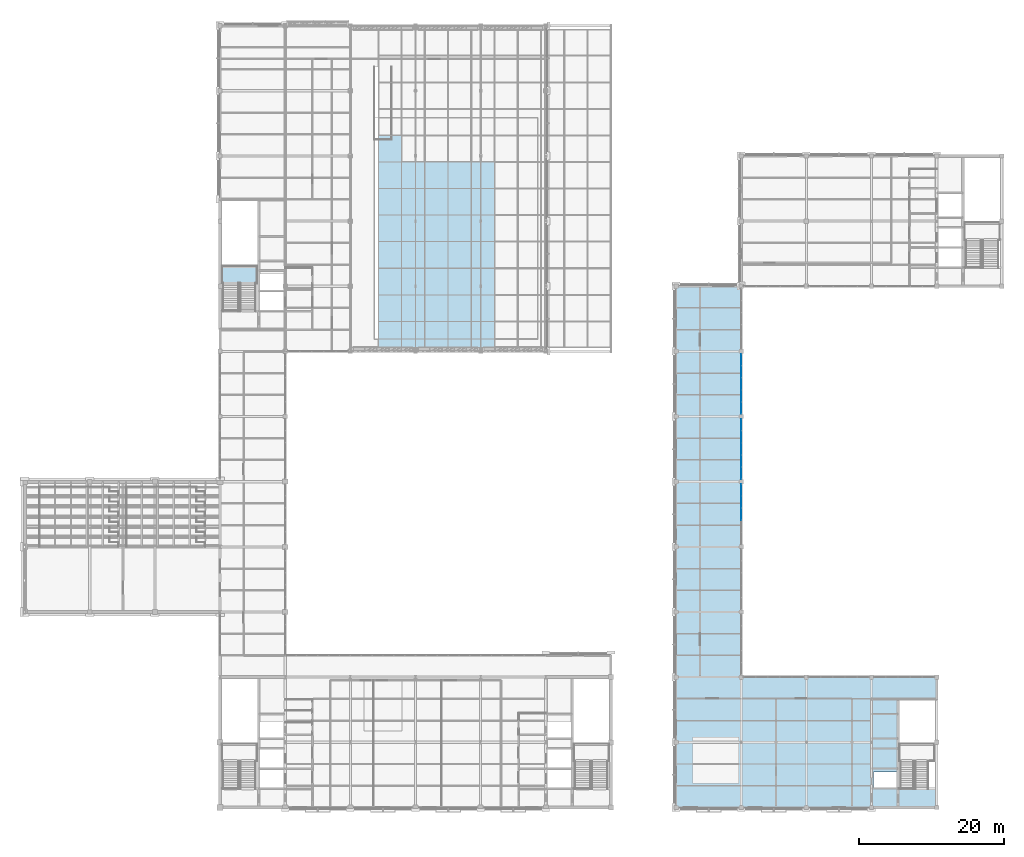
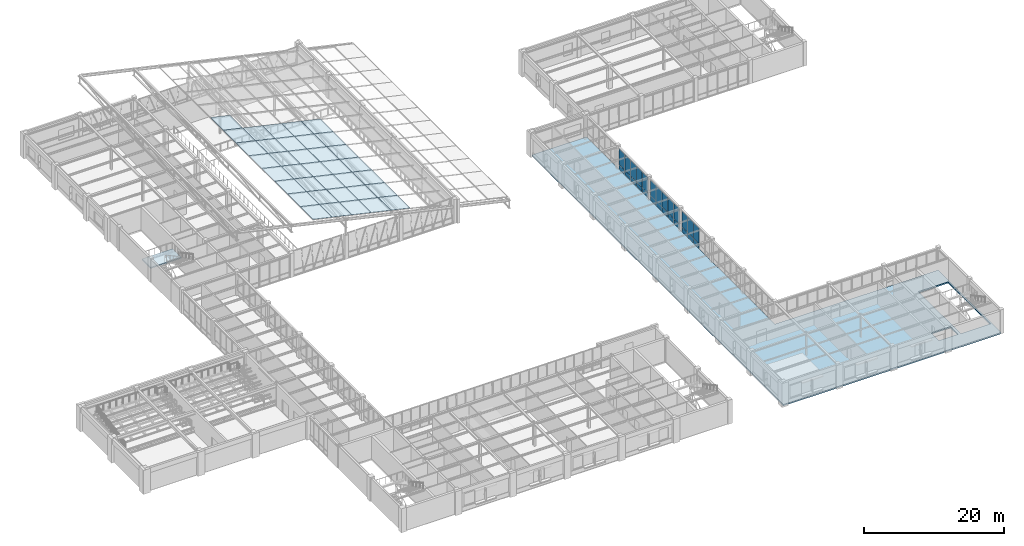
# One storey, part 105 of 130: 62 plates, 2 slabs, 1 opening, 7 elements without a shape of their own.
"""IFC4 building model written with IfcOpenShell, lengths in metres."""

import ifcopenshell
import ifcopenshell.guid

model = None  # the IFC model being written
_history = None  # IfcOwnerHistory: only IFC2X3 demands one
_inside = {}  # id of a spatial element -> (the spatial element, [elements in it])
_under = {}  # id of a project, library or spatial element -> (it, [spatial elements below it])
_declared = {}  # id of a project -> (the project, [libraries it declares])
_typed = {}  # id of a type object -> (the type object, [elements of that type])
_made_of = {}  # id of a material, layer set ... -> (it, [elements and type objects made of it])


def new_model(schema):
    """Start an empty IFC model of exactly this schema.

    Asked for "IFC4X3", IfcOpenShell would pick the latest addendum, in which some entities
    have other attributes; the version numbers below select the first issue.
    IFC2X3 requires an IfcOwnerHistory on every rooted entity: one is made here for all.
    """
    global model, _history
    if schema == "IFC4X3":
        model = ifcopenshell.file(schema_version=(4, 3, 0, 0))
    else:
        model = ifcopenshell.file(schema=schema)
    _inside.clear()
    _under.clear()
    _declared.clear()
    _typed.clear()
    _made_of.clear()
    _history = None
    if model.schema == "IFC2X3":
        org = make("IfcOrganization", Name="unknown")
        user = make(
            "IfcPersonAndOrganization",
            ThePerson=make("IfcPerson", FamilyName="unknown"),
            TheOrganization=org,
        )
        app = make(
            "IfcApplication",
            ApplicationDeveloper=org,
            Version="unknown",
            ApplicationFullName="unknown",
            ApplicationIdentifier="unknown",
        )
        _history = make(
            "IfcOwnerHistory",
            OwningUser=user,
            OwningApplication=app,
            ChangeAction="ADDED",
            CreationDate=0,
        )
    return model


def make(cls, **values):
    """One entity of the class cls with the attributes given. An attribute that is None is left unset."""
    return model.create_entity(
        cls, **{name: value for name, value in values.items() if value is not None}
    )


def rooted(cls, **values):
    """An entity with a GlobalId (a new one), such as an element, a storey or a relation."""
    return make(cls, GlobalId=ifcopenshell.guid.new(), OwnerHistory=_history, **values)


def si_unit(unit_type, name, prefix=None):
    """IfcSIUnit, for example si_unit("LENGTHUNIT", "METRE", prefix="MILLI")."""
    return make("IfcSIUnit", UnitType=unit_type, Prefix=prefix, Name=name)


def assignment(units):
    """IfcUnitAssignment: the units of a project."""
    return None if units is None else make("IfcUnitAssignment", Units=units)


def point(xyz):
    """IfcCartesianPoint."""
    return None if xyz is None else make("IfcCartesianPoint", Coordinates=xyz)


def direction(xyz):
    """IfcDirection."""
    return None if xyz is None else make("IfcDirection", DirectionRatios=xyz)


def frame(location, z_axis=None, x_axis=None):
    """IfcAxis2Placement3D, a coordinate frame: its origin and axes. An axis left out is left unset."""
    return make(
        "IfcAxis2Placement3D",
        Location=point(location),
        Axis=direction(z_axis),
        RefDirection=direction(x_axis),
    )


def frame_2d(location, x_axis=None):
    """IfcAxis2Placement2D, a coordinate frame in the plane: its origin and x axis."""
    return make(
        "IfcAxis2Placement2D", Location=point(location), RefDirection=direction(x_axis)
    )


def origin():
    """The frame at (0, 0, 0) with its axes left unset."""
    return frame((0.0, 0.0, 0.0))


def origin_2d():
    """The frame at (0, 0) in the plane with its x axis left unset."""
    return frame_2d((0.0, 0.0))


def place(relative_to, where):
    """IfcLocalPlacement: puts the frame where relative to a parent placement (None: the world)."""
    return make(
        "IfcLocalPlacement", PlacementRelTo=relative_to, RelativePlacement=where
    )


def context(
    kind, dimensions, precision=None, world=None, true_north=None, identifier=None
):
    """IfcGeometricRepresentationContext, for example the 3D "Model" context."""
    return make(
        "IfcGeometricRepresentationContext",
        ContextIdentifier=identifier,
        ContextType=kind,
        CoordinateSpaceDimension=dimensions,
        Precision=precision,
        WorldCoordinateSystem=world,
        TrueNorth=true_north,
    )


def subcontext(parent, identifier, kind, view, scale=None):
    """IfcGeometricRepresentationSubContext, for example "Body" below "Model"."""
    return make(
        "IfcGeometricRepresentationSubContext",
        ContextIdentifier=identifier,
        ContextType=kind,
        ParentContext=parent,
        TargetScale=scale,
        TargetView=view,
    )


def project(units=None, contexts=None):
    """IfcProject with its units and contexts."""
    return rooted(
        "IfcProject",
        Name="project",
        RepresentationContexts=contexts,
        UnitsInContext=assignment(units),
    )


def spatial(cls, under=None, at=None, **own):
    """A site, building, storey or space (cls), placed at a placement, below another one or the project."""
    s = rooted(cls, ObjectPlacement=at, **own)
    if under is not None:
        _under.setdefault(under.id(), (under, []))[1].append(s)
    return s


def polyline(points):
    """IfcPolyline through the points."""
    return make("IfcPolyline", Points=[point(p) for p in points])


def profile(cls, at=None, kind="AREA", **sizes):
    """A parametric profile (cls). Its sizes go by their IFC names, for example OverallWidth=200.0."""
    return make(cls, ProfileType=kind, Position=at, **sizes)


def rectangle(**sizes):
    """IfcRectangleProfileDef."""
    return profile("IfcRectangleProfileDef", **sizes)


def outline(outer, holes=None, kind="AREA"):
    """IfcArbitraryClosedProfileDef: a profile drawn as a closed curve; with holes, ...WithVoids."""
    if holes is None:
        return make("IfcArbitraryClosedProfileDef", ProfileType=kind, OuterCurve=outer)
    return make(
        "IfcArbitraryProfileDefWithVoids",
        ProfileType=kind,
        OuterCurve=outer,
        InnerCurves=holes,
    )


def extrude(swept, where, along, depth):
    """IfcExtrudedAreaSolid: the profile swept, set in the frame where, extruded along a direction by depth."""
    return make(
        "IfcExtrudedAreaSolid",
        SweptArea=swept,
        Position=where,
        ExtrudedDirection=direction(along),
        Depth=depth,
    )


def shape(context_of_items, identifier, shape_type, items):
    """IfcShapeRepresentation: the items that make up one representation, for example the "Body"."""
    return make(
        "IfcShapeRepresentation",
        ContextOfItems=context_of_items,
        RepresentationIdentifier=identifier,
        RepresentationType=shape_type,
        Items=items,
    )


def material(Name=None, Category=None):
    """IfcMaterial."""
    return make("IfcMaterial", Name=Name, Category=Category)


def layer(
    of_material, thickness, ventilated=None, Name=None, Category=None, Priority=None
):
    """IfcMaterialLayer: one layer of a wall or slab, of a material (None: an air gap)."""
    return make(
        "IfcMaterialLayer",
        Material=of_material,
        LayerThickness=thickness,
        IsVentilated=ventilated,
        Name=Name,
        Category=Category,
        Priority=Priority,
    )


def layer_set(layers, Name=None):
    """IfcMaterialLayerSet."""
    return make("IfcMaterialLayerSet", MaterialLayers=layers, LayerSetName=Name)


def made_of(thing, what):
    """Note that an element or type object is made of a material, layer set ...; save() writes the relation."""
    if what is not None:
        _made_of.setdefault(what.id(), (what, []))[1].append(thing)
    return thing


def type_object(cls, material=None, **own):
    """A type object (cls), such as IfcWallType, which elements share."""
    return made_of(rooted(cls, **own), material)


def element(
    cls,
    number,
    at=None,
    inside=None,
    cuts=None,
    type_object=None,
    material=None,
    context=None,
    identifier="Body",
    shape_type=None,
    held_by="IfcProductDefinitionShape",
    body=None,
    shapes=None,
    **own,
):
    """One element of the class cls, such as IfcWall. Its Tag is "e" and its number.

    at: its placement. inside: the storey or other place that contains it. cuts: it is an
    opening in that element (IfcRelVoidsElement). A single representation is given by context,
    identifier, shape_type and body (its items); several are given by shapes. held_by: the class
    of the entity that holds the representations. save() writes the other relations.
    """
    e = rooted(cls, Tag="e%d" % number, ObjectPlacement=at, **own)
    if body is not None:
        shapes = [shape(context, identifier, shape_type, body)]
    if shapes is not None:
        e.Representation = make(held_by, Representations=shapes)
    if inside is not None:
        _inside.setdefault(inside.id(), (inside, []))[1].append(e)
    if cuts is not None:
        rooted(
            "IfcRelVoidsElement", RelatingBuildingElement=cuts, RelatedOpeningElement=e
        )
    if type_object is not None:
        _typed.setdefault(type_object.id(), (type_object, []))[1].append(e)
    return made_of(e, material)


def aggregate(whole, parts):
    """IfcRelAggregates: a whole, such as a stair, and the parts it consists of."""
    return rooted("IfcRelAggregates", RelatingObject=whole, RelatedObjects=parts)


def save(model, path):
    """Write the relations noted so far, then the file.

    IfcRelAggregates (storeys below a building ...), IfcRelContainedInSpatialStructure (elements
    in a storey), IfcRelDefinesByType, IfcRelAssociatesMaterial and IfcRelDeclares: one each for
    every whole, place, type object, material and project.
    """
    for whole, parts in _under.values():
        aggregate(whole, parts)
    for where, things in _inside.values():
        rooted(
            "IfcRelContainedInSpatialStructure",
            RelatedElements=things,
            RelatingStructure=where,
        )
    for kind, things in _typed.values():
        rooted("IfcRelDefinesByType", RelatedObjects=things, RelatingType=kind)
    for what, things in _made_of.values():
        rooted("IfcRelAssociatesMaterial", RelatedObjects=things, RelatingMaterial=what)
    for by, libraries in _declared.values():
        rooted("IfcRelDeclares", RelatingContext=by, RelatedDefinitions=libraries)
    model.write(path)


model = new_model("IFC4")

# Units and contexts
model_context = context("Model", 3, precision=1e-05, world=origin(), true_north=direction((0.0, 1.0)))
body_context = subcontext(model_context, "Body", "Model", "MODEL_VIEW")
ifc_project = project(units=[si_unit("LENGTHUNIT", "METRE"), si_unit("AREAUNIT", "SQUARE_METRE"), si_unit("VOLUMEUNIT", "CUBIC_METRE"), si_unit("PLANEANGLEUNIT", "RADIAN"), si_unit("MASSUNIT", "GRAM", prefix="KILO")], contexts=[model_context])

# Site, building, storey
site_placement = place(None, origin())
site = spatial("IfcSite", under=ifc_project, at=site_placement, CompositionType="ELEMENT")
building_placement = place(site_placement, origin())
building = spatial("IfcBuilding", under=site, at=building_placement, Name="Lykobir Media Centre", CompositionType="ELEMENT")
storey_placement = place(building_placement, frame((0.0, 0.0, 19.199951171875)))
storey = spatial("IfcBuildingStorey", under=building, at=storey_placement, Name="L04", CompositionType="ELEMENT", Elevation=19.199951171875)

# Curtain wall, plates
ifc_material_1 = material(Name="Anodized Aluminium AW-6060", Category="aluminium")
curtain_wall_type_1 = type_object("IfcCurtainWallType", Name="CW-COURT-B", PredefinedType="NOTDEFINED", material=ifc_material_1)
curtain_wall_1_placement = place(storey_placement, origin())
curtain_wall_1 = element("IfcCurtainWall", 1, at=curtain_wall_1_placement, inside=storey, type_object=curtain_wall_type_1, Name="Curtain wall CW2-L04-0174", PredefinedType="NOTDEFINED")
ifc_material_2 = material(Name="Low-E Laminated Triple Glazing", Category="glass")
ifc_layer_1 = layer(ifc_material_2, 0.0380859375, Name="Low-E Laminated Triple Glazing")
ifc_layer_set_1 = layer_set([ifc_layer_1], Name="Low-E Laminated Triple Glazing")
plate_type_1 = type_object("IfcPlateType", Name="CWP-GLZ-38", PredefinedType="CURTAIN_PANEL", material=ifc_layer_set_1)
plate_1_placement = place(storey_placement, frame((99.0, 43.84228515625, 0.87744140625), z_axis=(0.0, 0.0, 1.0), x_axis=(0.0, -1.0, 0.0)))
plate_1 = element("IfcPlate", 2, at=plate_1_placement, type_object=plate_type_1, Name="CW2-L04-0174 panel 1.2", PredefinedType="CURTAIN_PANEL", context=body_context, shape_type="SweptSolid", body=[
    extrude(rectangle(XDim=1.595458984375, YDim=0.0380859375, at=origin_2d()), origin(), (0.0, 0.0, 1.0), 2.722412109375),
])
plate_2_placement = place(storey_placement, frame((99.0, 42.177978515625, 0.87744140625), z_axis=(0.0, 0.0, 1.0), x_axis=(0.0, -1.0, 0.0)))
plate_2 = element("IfcPlate", 3, at=plate_2_placement, type_object=plate_type_1, Name="CW2-L04-0174 panel 2.2", PredefinedType="CURTAIN_PANEL", context=body_context, shape_type="SweptSolid", body=[
    extrude(rectangle(XDim=1.623046875, YDim=0.0380859375, at=origin_2d()), origin(), (0.0, 0.0, 1.0), 2.722412109375),
])
plate_3_placement = place(storey_placement, frame((99.0, 40.5, 0.87744140625), z_axis=(0.0, 0.0, 1.0), x_axis=(0.0, -1.0, 0.0)))
plate_3 = element("IfcPlate", 4, at=plate_3_placement, type_object=plate_type_1, Name="CW2-L04-0174 panel 3.2", PredefinedType="CURTAIN_PANEL", context=body_context, shape_type="SweptSolid", body=[
    extrude(rectangle(XDim=1.623046875, YDim=0.0380859375, at=origin_2d()), origin(), (0.0, 0.0, 1.0), 2.722412109375),
])

curtain_wall_2_placement = place(storey_placement, origin())
curtain_wall_2 = element("IfcCurtainWall", 5, at=curtain_wall_2_placement, inside=storey, type_object=curtain_wall_type_1, Name="Curtain wall CW2-L04-0175", PredefinedType="NOTDEFINED")
plate_4_placement = place(storey_placement, frame((99.0, 52.84228515625, 0.87744140625), z_axis=(0.0, 0.0, 1.0), x_axis=(0.0, -1.0, 0.0)))
plate_4 = element("IfcPlate", 6, at=plate_4_placement, type_object=plate_type_1, Name="CW2-L04-0175 panel 1.2", PredefinedType="CURTAIN_PANEL", context=body_context, shape_type="SweptSolid", body=[
    extrude(rectangle(XDim=1.595458984375, YDim=0.0380859375, at=origin_2d()), origin(), (0.0, 0.0, 1.0), 2.722412109375),
])
plate_5_placement = place(storey_placement, frame((99.0, 51.177978515625, 0.87744140625), z_axis=(0.0, 0.0, 1.0), x_axis=(0.0, -1.0, 0.0)))
plate_5 = element("IfcPlate", 7, at=plate_5_placement, type_object=plate_type_1, Name="CW2-L04-0175 panel 2.2", PredefinedType="CURTAIN_PANEL", context=body_context, shape_type="SweptSolid", body=[
    extrude(rectangle(XDim=1.623046875, YDim=0.0380859375, at=origin_2d()), origin(), (0.0, 0.0, 1.0), 2.722412109375),
])
plate_6_placement = place(storey_placement, frame((99.0, 49.5, 0.87744140625), z_axis=(0.0, 0.0, 1.0), x_axis=(0.0, -1.0, 0.0)))
plate_6 = element("IfcPlate", 8, at=plate_6_placement, type_object=plate_type_1, Name="CW2-L04-0175 panel 3.2", PredefinedType="CURTAIN_PANEL", context=body_context, shape_type="SweptSolid", body=[
    extrude(rectangle(XDim=1.623046875, YDim=0.0380859375, at=origin_2d()), origin(), (0.0, 0.0, 1.0), 2.722412109375),
])
plate_7_placement = place(storey_placement, frame((99.0, 47.822021484375, 0.87744140625), z_axis=(0.0, 0.0, 1.0), x_axis=(0.0, -1.0, 0.0)))
plate_7 = element("IfcPlate", 9, at=plate_7_placement, type_object=plate_type_1, Name="CW2-L04-0175 panel 4.2", PredefinedType="CURTAIN_PANEL", context=body_context, shape_type="SweptSolid", body=[
    extrude(rectangle(XDim=1.623046875, YDim=0.0380859375, at=origin_2d()), origin(), (0.0, 0.0, 1.0), 2.722412109375),
])
plate_8_placement = place(storey_placement, frame((99.0, 46.15771484375, 0.87744140625), z_axis=(0.0, 0.0, 1.0), x_axis=(0.0, -1.0, 0.0)))
plate_8 = element("IfcPlate", 10, at=plate_8_placement, type_object=plate_type_1, Name="CW2-L04-0175 panel 5.2", PredefinedType="CURTAIN_PANEL", context=body_context, shape_type="SweptSolid", body=[
    extrude(rectangle(XDim=1.595458984375, YDim=0.0380859375, at=origin_2d()), origin(), (0.0, 0.0, 1.0), 2.722412109375),
])

curtain_wall_3_placement = place(storey_placement, origin())
curtain_wall_3 = element("IfcCurtainWall", 11, at=curtain_wall_3_placement, inside=storey, type_object=curtain_wall_type_1, Name="Curtain wall CW2-L04-0176", PredefinedType="NOTDEFINED")
plate_9_placement = place(storey_placement, frame((99.0, 61.84228515625, 0.87744140625), z_axis=(0.0, 0.0, 1.0), x_axis=(0.0, -1.0, 0.0)))
plate_9 = element("IfcPlate", 12, at=plate_9_placement, type_object=plate_type_1, Name="CW2-L04-0176 panel 1.2", PredefinedType="CURTAIN_PANEL", context=body_context, shape_type="SweptSolid", body=[
    extrude(rectangle(XDim=1.595458984375, YDim=0.0380859375, at=origin_2d()), origin(), (0.0, 0.0, 1.0), 2.722412109375),
])
plate_10_placement = place(storey_placement, frame((99.0, 60.177978515625, 0.87744140625), z_axis=(0.0, 0.0, 1.0), x_axis=(0.0, -1.0, 0.0)))
plate_10 = element("IfcPlate", 13, at=plate_10_placement, type_object=plate_type_1, Name="CW2-L04-0176 panel 2.2", PredefinedType="CURTAIN_PANEL", context=body_context, shape_type="SweptSolid", body=[
    extrude(rectangle(XDim=1.623046875, YDim=0.0380859375, at=origin_2d()), origin(), (0.0, 0.0, 1.0), 2.722412109375),
])
plate_11_placement = place(storey_placement, frame((99.0, 58.5, 0.87744140625), z_axis=(0.0, 0.0, 1.0), x_axis=(0.0, -1.0, 0.0)))
plate_11 = element("IfcPlate", 14, at=plate_11_placement, type_object=plate_type_1, Name="CW2-L04-0176 panel 3.2", PredefinedType="CURTAIN_PANEL", context=body_context, shape_type="SweptSolid", body=[
    extrude(rectangle(XDim=1.623046875, YDim=0.0380859375, at=origin_2d()), origin(), (0.0, 0.0, 1.0), 2.722412109375),
])
plate_12_placement = place(storey_placement, frame((99.0, 56.822021484375, 0.87744140625), z_axis=(0.0, 0.0, 1.0), x_axis=(0.0, -1.0, 0.0)))
plate_12 = element("IfcPlate", 15, at=plate_12_placement, type_object=plate_type_1, Name="CW2-L04-0176 panel 4.2", PredefinedType="CURTAIN_PANEL", context=body_context, shape_type="SweptSolid", body=[
    extrude(rectangle(XDim=1.623046875, YDim=0.0380859375, at=origin_2d()), origin(), (0.0, 0.0, 1.0), 2.722412109375),
])
plate_13_placement = place(storey_placement, frame((99.0, 55.15771484375, 0.87744140625), z_axis=(0.0, 0.0, 1.0), x_axis=(0.0, -1.0, 0.0)))
plate_13 = element("IfcPlate", 16, at=plate_13_placement, type_object=plate_type_1, Name="CW2-L04-0176 panel 5.2", PredefinedType="CURTAIN_PANEL", context=body_context, shape_type="SweptSolid", body=[
    extrude(rectangle(XDim=1.595458984375, YDim=0.0380859375, at=origin_2d()), origin(), (0.0, 0.0, 1.0), 2.722412109375),
])

curtain_wall_type_2 = type_object("IfcCurtainWallType", Name="CW-V6-SKY", PredefinedType="NOTDEFINED", material=ifc_material_1)
curtain_wall_4_placement = place(storey_placement, origin())
curtain_wall_4 = element("IfcCurtainWall", 17, at=curtain_wall_4_placement, inside=storey, type_object=curtain_wall_type_2, Name="Curtain wall CW-V6-SKY03", PredefinedType="NOTDEFINED")
ifc_layer_2 = layer(ifc_material_2, 0.0439453125, Name="Low-E Laminated Triple Glazing")
ifc_layer_set_2 = layer_set([ifc_layer_2], Name="Low-E Laminated Triple Glazing")
plate_type_2 = type_object("IfcPlateType", Name="CWP-GLZ-44", PredefinedType="CURTAIN_PANEL", material=ifc_layer_set_2)
plate_14_placement = place(storey_placement, frame((64.92578125, 87.3349609375, 4.6435546875), z_axis=(-0.975261365164, 0.0, 0.221054901821), x_axis=(0.0, -1.0, 0.0)))
plate_14 = element("IfcPlate", 18, at=plate_14_placement, type_object=plate_type_2, Name="CW-V6-SKY03 panel 6.2", PredefinedType="CURTAIN_PANEL", context=body_context, shape_type="SweptSolid", body=[
    extrude(rectangle(XDim=3.6640625, YDim=0.0439453125, at=origin_2d()), origin(), (0.0, 0.0, 1.0), 3.290771484375),
])
plate_15_placement = place(storey_placement, frame((64.92578125, 83.6650390625, 4.6435546875), z_axis=(-0.975261365164, 0.0, 0.221054901821), x_axis=(0.0, -1.0, 0.0)))
plate_15 = element("IfcPlate", 19, at=plate_15_placement, type_object=plate_type_2, Name="CW-V6-SKY03 panel 7.2", PredefinedType="CURTAIN_PANEL", context=body_context, shape_type="SweptSolid", body=[
    extrude(rectangle(XDim=3.6640625, YDim=0.0439453125, at=origin_2d()), origin(), (0.0, 0.0, 1.0), 3.290771484375),
])
plate_16_placement = place(storey_placement, frame((64.92578125, 79.9951171875, 4.6435546875), z_axis=(-0.975261365164, 0.0, 0.221054901821), x_axis=(0.0, -1.0, 0.0)))
plate_16 = element("IfcPlate", 20, at=plate_16_placement, type_object=plate_type_2, Name="CW-V6-SKY03 panel 8.2", PredefinedType="CURTAIN_PANEL", context=body_context, shape_type="SweptSolid", body=[
    extrude(rectangle(XDim=3.6640625, YDim=0.0439453125, at=origin_2d()), origin(), (0.0, 0.0, 1.0), 3.290771484375),
])
plate_17_placement = place(storey_placement, frame((64.92578125, 76.324951171875, 4.6435546875), z_axis=(-0.975261365164, 0.0, 0.221054901821), x_axis=(0.0, -1.0, 0.0)))
plate_17 = element("IfcPlate", 21, at=plate_17_placement, type_object=plate_type_2, Name="CW-V6-SKY03 panel 9.2", PredefinedType="CURTAIN_PANEL", context=body_context, shape_type="SweptSolid", body=[
    extrude(rectangle(XDim=3.6640625, YDim=0.0439453125, at=origin_2d()), origin(), (0.0, 0.0, 1.0), 3.290771484375),
])
plate_18_placement = place(storey_placement, frame((64.92578125, 72.655029296875, 4.6435546875), z_axis=(-0.975261365164, 0.0, 0.221054901821), x_axis=(0.0, -1.0, 0.0)))
plate_18 = element("IfcPlate", 22, at=plate_18_placement, type_object=plate_type_2, Name="CW-V6-SKY03 panel 10.2", PredefinedType="CURTAIN_PANEL", context=body_context, shape_type="SweptSolid", body=[
    extrude(rectangle(XDim=3.6640625, YDim=0.0439453125, at=origin_2d()), origin(), (0.0, 0.0, 1.0), 3.290771484375),
])
plate_19_placement = place(storey_placement, frame((64.92578125, 68.985107421875, 4.6435546875), z_axis=(-0.975261365164, 0.0, 0.221054901821), x_axis=(0.0, -1.0, 0.0)))
plate_19 = element("IfcPlate", 23, at=plate_19_placement, type_object=plate_type_2, Name="CW-V6-SKY03 panel 11.2", PredefinedType="CURTAIN_PANEL", context=body_context, shape_type="SweptSolid", body=[
    extrude(rectangle(XDim=3.6640625, YDim=0.0439453125, at=origin_2d()), origin(), (0.0, 0.0, 1.0), 3.290771484375),
])
plate_20_placement = place(storey_placement, frame((64.92578125, 65.314453125, 4.6435546875), z_axis=(-0.975261365164, 0.0, 0.221054901821), x_axis=(0.0, -1.0, 0.0)))
plate_20 = element("IfcPlate", 24, at=plate_20_placement, type_object=plate_type_2, Name="CW-V6-SKY03 panel 12.2", PredefinedType="CURTAIN_PANEL", context=body_context, shape_type="SweptSolid", body=[
    extrude(rectangle(XDim=3.6650390625, YDim=0.0439453125, at=origin_2d()), origin(), (0.0, 0.0, 1.0), 3.290771484375),
])
aggregate(curtain_wall_4, [plate_14, plate_15, plate_16, plate_17, plate_18, plate_19, plate_20])

curtain_wall_5_placement = place(storey_placement, origin())
curtain_wall_5 = element("IfcCurtainWall", 25, at=curtain_wall_5_placement, inside=storey, type_object=curtain_wall_type_2, Name="Curtain wall CW-V6-SKY04", PredefinedType="NOTDEFINED")
plate_21_placement = place(storey_placement, frame((61.71240234375, 87.3349609375, 5.371826171875), z_axis=(-0.975257506879, 0.0, 0.221071923309), x_axis=(0.0, -1.0, 0.0)))
plate_21 = element("IfcPlate", 26, at=plate_21_placement, type_object=plate_type_2, Name="CW-V6-SKY04 panel 6.1", PredefinedType="CURTAIN_PANEL", context=body_context, shape_type="SweptSolid", body=[
    extrude(rectangle(XDim=3.6640625, YDim=0.0439453125, at=origin_2d()), origin(), (0.0, 0.0, 1.0), 3.290771484375),
])
plate_22_placement = place(storey_placement, frame((58.4970703125, 87.3349609375, 6.100830078125), z_axis=(-0.975257506879, 0.0, 0.221071923309), x_axis=(0.0, -1.0, 0.0)))
plate_22 = element("IfcPlate", 27, at=plate_22_placement, type_object=plate_type_2, Name="CW-V6-SKY04 panel 6.2", PredefinedType="CURTAIN_PANEL", context=body_context, shape_type="SweptSolid", body=[
    extrude(rectangle(XDim=3.6640625, YDim=0.0439453125, at=origin_2d()), origin(), (0.0, 0.0, 1.0), 3.290771484375),
])
plate_23_placement = place(storey_placement, frame((61.71240234375, 83.6650390625, 5.371826171875), z_axis=(-0.975257506879, 0.0, 0.221071923309), x_axis=(0.0, -1.0, 0.0)))
plate_23 = element("IfcPlate", 28, at=plate_23_placement, type_object=plate_type_2, Name="CW-V6-SKY04 panel 7.1", PredefinedType="CURTAIN_PANEL", context=body_context, shape_type="SweptSolid", body=[
    extrude(rectangle(XDim=3.6640625, YDim=0.0439453125, at=origin_2d()), origin(), (0.0, 0.0, 1.0), 3.290771484375),
])
plate_24_placement = place(storey_placement, frame((58.4970703125, 83.6650390625, 6.100830078125), z_axis=(-0.975257506879, 0.0, 0.221071923309), x_axis=(0.0, -1.0, 0.0)))
plate_24 = element("IfcPlate", 29, at=plate_24_placement, type_object=plate_type_2, Name="CW-V6-SKY04 panel 7.2", PredefinedType="CURTAIN_PANEL", context=body_context, shape_type="SweptSolid", body=[
    extrude(rectangle(XDim=3.6640625, YDim=0.0439453125, at=origin_2d()), origin(), (0.0, 0.0, 1.0), 3.290771484375),
])
plate_25_placement = place(storey_placement, frame((61.71240234375, 79.9951171875, 5.371826171875), z_axis=(-0.975257506879, 0.0, 0.221071923309), x_axis=(0.0, -1.0, 0.0)))
plate_25 = element("IfcPlate", 30, at=plate_25_placement, type_object=plate_type_2, Name="CW-V6-SKY04 panel 8.1", PredefinedType="CURTAIN_PANEL", context=body_context, shape_type="SweptSolid", body=[
    extrude(rectangle(XDim=3.6640625, YDim=0.0439453125, at=origin_2d()), origin(), (0.0, 0.0, 1.0), 3.290771484375),
])
plate_26_placement = place(storey_placement, frame((58.4970703125, 79.9951171875, 6.100830078125), z_axis=(-0.975257506879, 0.0, 0.221071923309), x_axis=(0.0, -1.0, 0.0)))
plate_26 = element("IfcPlate", 31, at=plate_26_placement, type_object=plate_type_2, Name="CW-V6-SKY04 panel 8.2", PredefinedType="CURTAIN_PANEL", context=body_context, shape_type="SweptSolid", body=[
    extrude(rectangle(XDim=3.6640625, YDim=0.0439453125, at=origin_2d()), origin(), (0.0, 0.0, 1.0), 3.290771484375),
])
plate_27_placement = place(storey_placement, frame((61.71240234375, 76.324951171875, 5.371826171875), z_axis=(-0.975257506879, 0.0, 0.221071923309), x_axis=(0.0, -1.0, 0.0)))
plate_27 = element("IfcPlate", 32, at=plate_27_placement, type_object=plate_type_2, Name="CW-V6-SKY04 panel 9.1", PredefinedType="CURTAIN_PANEL", context=body_context, shape_type="SweptSolid", body=[
    extrude(rectangle(XDim=3.6640625, YDim=0.0439453125, at=origin_2d()), origin(), (0.0, 0.0, 1.0), 3.290771484375),
])
plate_28_placement = place(storey_placement, frame((58.4970703125, 76.324951171875, 6.100830078125), z_axis=(-0.975257506879, 0.0, 0.221071923309), x_axis=(0.0, -1.0, 0.0)))
plate_28 = element("IfcPlate", 33, at=plate_28_placement, type_object=plate_type_2, Name="CW-V6-SKY04 panel 9.2", PredefinedType="CURTAIN_PANEL", context=body_context, shape_type="SweptSolid", body=[
    extrude(rectangle(XDim=3.6640625, YDim=0.0439453125, at=origin_2d()), origin(), (0.0, 0.0, 1.0), 3.290771484375),
])
plate_29_placement = place(storey_placement, frame((61.71240234375, 72.655029296875, 5.371826171875), z_axis=(-0.975257506879, 0.0, 0.221071923309), x_axis=(0.0, -1.0, 0.0)))
plate_29 = element("IfcPlate", 34, at=plate_29_placement, type_object=plate_type_2, Name="CW-V6-SKY04 panel 10.1", PredefinedType="CURTAIN_PANEL", context=body_context, shape_type="SweptSolid", body=[
    extrude(rectangle(XDim=3.6640625, YDim=0.0439453125, at=origin_2d()), origin(), (0.0, 0.0, 1.0), 3.290771484375),
])
plate_30_placement = place(storey_placement, frame((58.4970703125, 72.655029296875, 6.100830078125), z_axis=(-0.975257506879, 0.0, 0.221071923309), x_axis=(0.0, -1.0, 0.0)))
plate_30 = element("IfcPlate", 35, at=plate_30_placement, type_object=plate_type_2, Name="CW-V6-SKY04 panel 10.2", PredefinedType="CURTAIN_PANEL", context=body_context, shape_type="SweptSolid", body=[
    extrude(rectangle(XDim=3.6640625, YDim=0.0439453125, at=origin_2d()), origin(), (0.0, 0.0, 1.0), 3.290771484375),
])
plate_31_placement = place(storey_placement, frame((61.71240234375, 68.985107421875, 5.371826171875), z_axis=(-0.975257506879, 0.0, 0.221071923309), x_axis=(0.0, -1.0, 0.0)))
plate_31 = element("IfcPlate", 36, at=plate_31_placement, type_object=plate_type_2, Name="CW-V6-SKY04 panel 11.1", PredefinedType="CURTAIN_PANEL", context=body_context, shape_type="SweptSolid", body=[
    extrude(rectangle(XDim=3.6640625, YDim=0.0439453125, at=origin_2d()), origin(), (0.0, 0.0, 1.0), 3.290771484375),
])
plate_32_placement = place(storey_placement, frame((58.4970703125, 68.985107421875, 6.100830078125), z_axis=(-0.975257506879, 0.0, 0.221071923309), x_axis=(0.0, -1.0, 0.0)))
plate_32 = element("IfcPlate", 37, at=plate_32_placement, type_object=plate_type_2, Name="CW-V6-SKY04 panel 11.2", PredefinedType="CURTAIN_PANEL", context=body_context, shape_type="SweptSolid", body=[
    extrude(rectangle(XDim=3.6640625, YDim=0.0439453125, at=origin_2d()), origin(), (0.0, 0.0, 1.0), 3.290771484375),
])
plate_33_placement = place(storey_placement, frame((61.71240234375, 65.314453125, 5.371826171875), z_axis=(-0.975257506879, 0.0, 0.221071923309), x_axis=(0.0, -1.0, 0.0)))
plate_33 = element("IfcPlate", 38, at=plate_33_placement, type_object=plate_type_2, Name="CW-V6-SKY04 panel 12.1", PredefinedType="CURTAIN_PANEL", context=body_context, shape_type="SweptSolid", body=[
    extrude(rectangle(XDim=3.6650390625, YDim=0.0439453125, at=origin_2d()), origin(), (0.0, 0.0, 1.0), 3.290771484375),
])
plate_34_placement = place(storey_placement, frame((58.4970703125, 65.314453125, 6.100830078125), z_axis=(-0.975257506879, 0.0, 0.221071923309), x_axis=(0.0, -1.0, 0.0)))
plate_34 = element("IfcPlate", 39, at=plate_34_placement, type_object=plate_type_2, Name="CW-V6-SKY04 panel 12.2", PredefinedType="CURTAIN_PANEL", context=body_context, shape_type="SweptSolid", body=[
    extrude(rectangle(XDim=3.6650390625, YDim=0.0439453125, at=origin_2d()), origin(), (0.0, 0.0, 1.0), 3.290771484375),
])
aggregate(curtain_wall_5, [plate_21, plate_22, plate_23, plate_24, plate_25, plate_26, plate_27, plate_28, plate_29, plate_30, plate_31, plate_32, plate_33, plate_34])

curtain_wall_6_placement = place(storey_placement, origin())
curtain_wall_6 = element("IfcCurtainWall", 40, at=curtain_wall_6_placement, inside=storey, type_object=curtain_wall_type_2, Name="Curtain wall CW-V6-SKY05", PredefinedType="NOTDEFINED")
plate_35_placement = place(storey_placement, frame((52.068603515625, 91.0048828125, 7.557861328125), z_axis=(-0.975261365164, 0.0, 0.221054901821), x_axis=(0.0, -1.0, 0.0)))
plate_35 = element("IfcPlate", 41, at=plate_35_placement, type_object=plate_type_2, Name="CW-V6-SKY05 panel 5.2", PredefinedType="CURTAIN_PANEL", context=body_context, shape_type="SweptSolid", body=[
    extrude(rectangle(XDim=3.6640625, YDim=0.0439453125, at=origin_2d()), origin(), (0.0, 0.0, 1.0), 3.290771484375),
])
plate_36_placement = place(storey_placement, frame((55.28369140625, 87.3349609375, 6.8291015625), z_axis=(-0.975261365164, 0.0, 0.221054901821), x_axis=(0.0, -1.0, 0.0)))
plate_36 = element("IfcPlate", 42, at=plate_36_placement, type_object=plate_type_2, Name="CW-V6-SKY05 panel 6.1", PredefinedType="CURTAIN_PANEL", context=body_context, shape_type="SweptSolid", body=[
    extrude(rectangle(XDim=3.6640625, YDim=0.0439453125, at=origin_2d()), origin(), (0.0, 0.0, 1.0), 3.290771484375),
])
plate_37_placement = place(storey_placement, frame((52.068603515625, 87.3349609375, 7.557861328125), z_axis=(-0.975261365164, 0.0, 0.221054901821), x_axis=(0.0, -1.0, 0.0)))
plate_37 = element("IfcPlate", 43, at=plate_37_placement, type_object=plate_type_2, Name="CW-V6-SKY05 panel 6.2", PredefinedType="CURTAIN_PANEL", context=body_context, shape_type="SweptSolid", body=[
    extrude(rectangle(XDim=3.6640625, YDim=0.0439453125, at=origin_2d()), origin(), (0.0, 0.0, 1.0), 3.290771484375),
])
plate_38_placement = place(storey_placement, frame((55.28369140625, 83.6650390625, 6.8291015625), z_axis=(-0.975261365164, 0.0, 0.221054901821), x_axis=(0.0, -1.0, 0.0)))
plate_38 = element("IfcPlate", 44, at=plate_38_placement, type_object=plate_type_2, Name="CW-V6-SKY05 panel 7.1", PredefinedType="CURTAIN_PANEL", context=body_context, shape_type="SweptSolid", body=[
    extrude(rectangle(XDim=3.6640625, YDim=0.0439453125, at=origin_2d()), origin(), (0.0, 0.0, 1.0), 3.290771484375),
])
plate_39_placement = place(storey_placement, frame((52.068603515625, 83.6650390625, 7.557861328125), z_axis=(-0.975261365164, 0.0, 0.221054901821), x_axis=(0.0, -1.0, 0.0)))
plate_39 = element("IfcPlate", 45, at=plate_39_placement, type_object=plate_type_2, Name="CW-V6-SKY05 panel 7.2", PredefinedType="CURTAIN_PANEL", context=body_context, shape_type="SweptSolid", body=[
    extrude(rectangle(XDim=3.6640625, YDim=0.0439453125, at=origin_2d()), origin(), (0.0, 0.0, 1.0), 3.290771484375),
])
plate_40_placement = place(storey_placement, frame((55.28369140625, 79.9951171875, 6.8291015625), z_axis=(-0.975261365164, 0.0, 0.221054901821), x_axis=(0.0, -1.0, 0.0)))
plate_40 = element("IfcPlate", 46, at=plate_40_placement, type_object=plate_type_2, Name="CW-V6-SKY05 panel 8.1", PredefinedType="CURTAIN_PANEL", context=body_context, shape_type="SweptSolid", body=[
    extrude(rectangle(XDim=3.6640625, YDim=0.0439453125, at=origin_2d()), origin(), (0.0, 0.0, 1.0), 3.290771484375),
])
plate_41_placement = place(storey_placement, frame((52.068603515625, 79.9951171875, 7.557861328125), z_axis=(-0.975261365164, 0.0, 0.221054901821), x_axis=(0.0, -1.0, 0.0)))
plate_41 = element("IfcPlate", 47, at=plate_41_placement, type_object=plate_type_2, Name="CW-V6-SKY05 panel 8.2", PredefinedType="CURTAIN_PANEL", context=body_context, shape_type="SweptSolid", body=[
    extrude(rectangle(XDim=3.6640625, YDim=0.0439453125, at=origin_2d()), origin(), (0.0, 0.0, 1.0), 3.290771484375),
])
plate_42_placement = place(storey_placement, frame((55.28369140625, 76.324951171875, 6.8291015625), z_axis=(-0.975261365164, 0.0, 0.221054901821), x_axis=(0.0, -1.0, 0.0)))
plate_42 = element("IfcPlate", 48, at=plate_42_placement, type_object=plate_type_2, Name="CW-V6-SKY05 panel 9.1", PredefinedType="CURTAIN_PANEL", context=body_context, shape_type="SweptSolid", body=[
    extrude(rectangle(XDim=3.6640625, YDim=0.0439453125, at=origin_2d()), origin(), (0.0, 0.0, 1.0), 3.290771484375),
])
plate_43_placement = place(storey_placement, frame((52.068603515625, 76.324951171875, 7.557861328125), z_axis=(-0.975261365164, 0.0, 0.221054901821), x_axis=(0.0, -1.0, 0.0)))
plate_43 = element("IfcPlate", 49, at=plate_43_placement, type_object=plate_type_2, Name="CW-V6-SKY05 panel 9.2", PredefinedType="CURTAIN_PANEL", context=body_context, shape_type="SweptSolid", body=[
    extrude(rectangle(XDim=3.6640625, YDim=0.0439453125, at=origin_2d()), origin(), (0.0, 0.0, 1.0), 3.290771484375),
])
plate_44_placement = place(storey_placement, frame((55.28369140625, 72.655029296875, 6.8291015625), z_axis=(-0.975261365164, 0.0, 0.221054901821), x_axis=(0.0, -1.0, 0.0)))
plate_44 = element("IfcPlate", 50, at=plate_44_placement, type_object=plate_type_2, Name="CW-V6-SKY05 panel 10.1", PredefinedType="CURTAIN_PANEL", context=body_context, shape_type="SweptSolid", body=[
    extrude(rectangle(XDim=3.6640625, YDim=0.0439453125, at=origin_2d()), origin(), (0.0, 0.0, 1.0), 3.290771484375),
])
plate_45_placement = place(storey_placement, frame((52.068603515625, 72.655029296875, 7.557861328125), z_axis=(-0.975261365164, 0.0, 0.221054901821), x_axis=(0.0, -1.0, 0.0)))
plate_45 = element("IfcPlate", 51, at=plate_45_placement, type_object=plate_type_2, Name="CW-V6-SKY05 panel 10.2", PredefinedType="CURTAIN_PANEL", context=body_context, shape_type="SweptSolid", body=[
    extrude(rectangle(XDim=3.6640625, YDim=0.0439453125, at=origin_2d()), origin(), (0.0, 0.0, 1.0), 3.290771484375),
])
plate_46_placement = place(storey_placement, frame((55.28369140625, 68.985107421875, 6.8291015625), z_axis=(-0.975261365164, 0.0, 0.221054901821), x_axis=(0.0, -1.0, 0.0)))
plate_46 = element("IfcPlate", 52, at=plate_46_placement, type_object=plate_type_2, Name="CW-V6-SKY05 panel 11.1", PredefinedType="CURTAIN_PANEL", context=body_context, shape_type="SweptSolid", body=[
    extrude(rectangle(XDim=3.6640625, YDim=0.0439453125, at=origin_2d()), origin(), (0.0, 0.0, 1.0), 3.290771484375),
])
plate_47_placement = place(storey_placement, frame((52.068603515625, 68.985107421875, 7.557861328125), z_axis=(-0.975261365164, 0.0, 0.221054901821), x_axis=(0.0, -1.0, 0.0)))
plate_47 = element("IfcPlate", 53, at=plate_47_placement, type_object=plate_type_2, Name="CW-V6-SKY05 panel 11.2", PredefinedType="CURTAIN_PANEL", context=body_context, shape_type="SweptSolid", body=[
    extrude(rectangle(XDim=3.6640625, YDim=0.0439453125, at=origin_2d()), origin(), (0.0, 0.0, 1.0), 3.290771484375),
])
plate_48_placement = place(storey_placement, frame((55.28369140625, 65.314453125, 6.8291015625), z_axis=(-0.975261365164, 0.0, 0.221054901821), x_axis=(0.0, -1.0, 0.0)))
plate_48 = element("IfcPlate", 54, at=plate_48_placement, type_object=plate_type_2, Name="CW-V6-SKY05 panel 12.1", PredefinedType="CURTAIN_PANEL", context=body_context, shape_type="SweptSolid", body=[
    extrude(rectangle(XDim=3.6650390625, YDim=0.0439453125, at=origin_2d()), origin(), (0.0, 0.0, 1.0), 3.290771484375),
])
plate_49_placement = place(storey_placement, frame((52.068603515625, 65.314453125, 7.557861328125), z_axis=(-0.975261365164, 0.0, 0.221054901821), x_axis=(0.0, -1.0, 0.0)))
plate_49 = element("IfcPlate", 55, at=plate_49_placement, type_object=plate_type_2, Name="CW-V6-SKY05 panel 12.2", PredefinedType="CURTAIN_PANEL", context=body_context, shape_type="SweptSolid", body=[
    extrude(rectangle(XDim=3.6650390625, YDim=0.0439453125, at=origin_2d()), origin(), (0.0, 0.0, 1.0), 3.290771484375),
])
aggregate(curtain_wall_6, [plate_35, plate_36, plate_37, plate_38, plate_39, plate_40, plate_41, plate_42, plate_43, plate_44, plate_45, plate_46, plate_47, plate_48, plate_49])

# Plate
ifc_material_3 = material(Name="Pre-Weathered Titanium-Zinc", Category="metal")
ifc_layer_3 = layer(ifc_material_3, 0.052001953125, Name="Pre-Weathered Titanium-Zinc")
ifc_layer_set_3 = layer_set([ifc_layer_3], Name="Pre-Weathered Titanium-Zinc")
plate_type_3 = type_object("IfcPlateType", Name="CWP-SPN-52", PredefinedType="CURTAIN_PANEL", material=ifc_layer_set_3)
plate_50_placement = place(storey_placement, frame((99.0, 43.84228515625, 0.054931640625), z_axis=(0.0, 0.0, 1.0), x_axis=(0.0, -1.0, 0.0)))
plate_50 = element("IfcPlate", 56, at=plate_50_placement, type_object=plate_type_3, Name="CW2-L04-0174 panel 1.1", PredefinedType="CURTAIN_PANEL", context=body_context, shape_type="SweptSolid", body=[
    extrude(rectangle(XDim=1.595458984375, YDim=0.052001953125, at=origin_2d()), origin(), (0.0, 0.0, 1.0), 0.767578125),
])

plate_51_placement = place(storey_placement, frame((99.0, 42.177978515625, 0.054931640625), z_axis=(0.0, 0.0, 1.0), x_axis=(0.0, -1.0, 0.0)))
plate_51 = element("IfcPlate", 57, at=plate_51_placement, type_object=plate_type_3, Name="CW2-L04-0174 panel 2.1", PredefinedType="CURTAIN_PANEL", context=body_context, shape_type="SweptSolid", body=[
    extrude(rectangle(XDim=1.623046875, YDim=0.052001953125, at=origin_2d()), origin(), (0.0, 0.0, 1.0), 0.767578125),
])

plate_52_placement = place(storey_placement, frame((99.0, 40.5, 0.054931640625), z_axis=(0.0, 0.0, 1.0), x_axis=(0.0, -1.0, 0.0)))
plate_52 = element("IfcPlate", 58, at=plate_52_placement, type_object=plate_type_3, Name="CW2-L04-0174 panel 3.1", PredefinedType="CURTAIN_PANEL", context=body_context, shape_type="SweptSolid", body=[
    extrude(rectangle(XDim=1.623046875, YDim=0.052001953125, at=origin_2d()), origin(), (0.0, 0.0, 1.0), 0.767578125),
])

aggregate(curtain_wall_1, [plate_50, plate_1, plate_51, plate_2, plate_52, plate_3])

plate_53_placement = place(storey_placement, frame((99.0, 52.84228515625, 0.054931640625), z_axis=(0.0, 0.0, 1.0), x_axis=(0.0, -1.0, 0.0)))
plate_53 = element("IfcPlate", 59, at=plate_53_placement, type_object=plate_type_3, Name="CW2-L04-0175 panel 1.1", PredefinedType="CURTAIN_PANEL", context=body_context, shape_type="SweptSolid", body=[
    extrude(rectangle(XDim=1.595458984375, YDim=0.052001953125, at=origin_2d()), origin(), (0.0, 0.0, 1.0), 0.767578125),
])

plate_54_placement = place(storey_placement, frame((99.0, 51.177978515625, 0.054931640625), z_axis=(0.0, 0.0, 1.0), x_axis=(0.0, -1.0, 0.0)))
plate_54 = element("IfcPlate", 60, at=plate_54_placement, type_object=plate_type_3, Name="CW2-L04-0175 panel 2.1", PredefinedType="CURTAIN_PANEL", context=body_context, shape_type="SweptSolid", body=[
    extrude(rectangle(XDim=1.623046875, YDim=0.052001953125, at=origin_2d()), origin(), (0.0, 0.0, 1.0), 0.767578125),
])

plate_55_placement = place(storey_placement, frame((99.0, 49.5, 0.054931640625), z_axis=(0.0, 0.0, 1.0), x_axis=(0.0, -1.0, 0.0)))
plate_55 = element("IfcPlate", 61, at=plate_55_placement, type_object=plate_type_3, Name="CW2-L04-0175 panel 3.1", PredefinedType="CURTAIN_PANEL", context=body_context, shape_type="SweptSolid", body=[
    extrude(rectangle(XDim=1.623046875, YDim=0.052001953125, at=origin_2d()), origin(), (0.0, 0.0, 1.0), 0.767578125),
])

plate_56_placement = place(storey_placement, frame((99.0, 47.822021484375, 0.054931640625), z_axis=(0.0, 0.0, 1.0), x_axis=(0.0, -1.0, 0.0)))
plate_56 = element("IfcPlate", 62, at=plate_56_placement, type_object=plate_type_3, Name="CW2-L04-0175 panel 4.1", PredefinedType="CURTAIN_PANEL", context=body_context, shape_type="SweptSolid", body=[
    extrude(rectangle(XDim=1.623046875, YDim=0.052001953125, at=origin_2d()), origin(), (0.0, 0.0, 1.0), 0.767578125),
])

plate_57_placement = place(storey_placement, frame((99.0, 46.15771484375, 0.054931640625), z_axis=(0.0, 0.0, 1.0), x_axis=(0.0, -1.0, 0.0)))
plate_57 = element("IfcPlate", 63, at=plate_57_placement, type_object=plate_type_3, Name="CW2-L04-0175 panel 5.1", PredefinedType="CURTAIN_PANEL", context=body_context, shape_type="SweptSolid", body=[
    extrude(rectangle(XDim=1.595458984375, YDim=0.052001953125, at=origin_2d()), origin(), (0.0, 0.0, 1.0), 0.767578125),
])

aggregate(curtain_wall_2, [plate_53, plate_4, plate_54, plate_5, plate_55, plate_6, plate_56, plate_7, plate_57, plate_8])

plate_58_placement = place(storey_placement, frame((99.0, 61.84228515625, 0.054931640625), z_axis=(0.0, 0.0, 1.0), x_axis=(0.0, -1.0, 0.0)))
plate_58 = element("IfcPlate", 64, at=plate_58_placement, type_object=plate_type_3, Name="CW2-L04-0176 panel 1.1", PredefinedType="CURTAIN_PANEL", context=body_context, shape_type="SweptSolid", body=[
    extrude(rectangle(XDim=1.595458984375, YDim=0.052001953125, at=origin_2d()), origin(), (0.0, 0.0, 1.0), 0.767578125),
])

plate_59_placement = place(storey_placement, frame((99.0, 60.177978515625, 0.054931640625), z_axis=(0.0, 0.0, 1.0), x_axis=(0.0, -1.0, 0.0)))
plate_59 = element("IfcPlate", 65, at=plate_59_placement, type_object=plate_type_3, Name="CW2-L04-0176 panel 2.1", PredefinedType="CURTAIN_PANEL", context=body_context, shape_type="SweptSolid", body=[
    extrude(rectangle(XDim=1.623046875, YDim=0.052001953125, at=origin_2d()), origin(), (0.0, 0.0, 1.0), 0.767578125),
])

plate_60_placement = place(storey_placement, frame((99.0, 58.5, 0.054931640625), z_axis=(0.0, 0.0, 1.0), x_axis=(0.0, -1.0, 0.0)))
plate_60 = element("IfcPlate", 66, at=plate_60_placement, type_object=plate_type_3, Name="CW2-L04-0176 panel 3.1", PredefinedType="CURTAIN_PANEL", context=body_context, shape_type="SweptSolid", body=[
    extrude(rectangle(XDim=1.623046875, YDim=0.052001953125, at=origin_2d()), origin(), (0.0, 0.0, 1.0), 0.767578125),
])

plate_61_placement = place(storey_placement, frame((99.0, 56.822021484375, 0.054931640625), z_axis=(0.0, 0.0, 1.0), x_axis=(0.0, -1.0, 0.0)))
plate_61 = element("IfcPlate", 67, at=plate_61_placement, type_object=plate_type_3, Name="CW2-L04-0176 panel 4.1", PredefinedType="CURTAIN_PANEL", context=body_context, shape_type="SweptSolid", body=[
    extrude(rectangle(XDim=1.623046875, YDim=0.052001953125, at=origin_2d()), origin(), (0.0, 0.0, 1.0), 0.767578125),
])

plate_62_placement = place(storey_placement, frame((99.0, 55.15771484375, 0.054931640625), z_axis=(0.0, 0.0, 1.0), x_axis=(0.0, -1.0, 0.0)))
plate_62 = element("IfcPlate", 68, at=plate_62_placement, type_object=plate_type_3, Name="CW2-L04-0176 panel 5.1", PredefinedType="CURTAIN_PANEL", context=body_context, shape_type="SweptSolid", body=[
    extrude(rectangle(XDim=1.595458984375, YDim=0.052001953125, at=origin_2d()), origin(), (0.0, 0.0, 1.0), 0.767578125),
])

aggregate(curtain_wall_3, [plate_58, plate_9, plate_59, plate_10, plate_60, plate_11, plate_61, plate_12, plate_62, plate_13])

# Slab, opening
ifc_material_4 = material(Name="Concrete C30/37", Category="concrete")
ifc_layer_4 = layer(ifc_material_4, 0.239990234375, Name="Concrete C30/37")
ifc_layer_set_4 = layer_set([ifc_layer_4], Name="Concrete C30/37")
slab_type_1 = type_object("IfcSlabType", Name="FS-240", PredefinedType="FLOOR", material=ifc_layer_set_4)
slab_1_placement = place(storey_placement, frame((0.0, 0.0, -0.239990234375)))
slab_1 = element("IfcSlab", 69, at=slab_1_placement, inside=storey, type_object=slab_type_1, Name="L04 structural slab 2", PredefinedType="FLOOR", context=body_context, shape_type="SweptSolid", body=[
    extrude(outline(polyline([(99.0, 18.0), (99.0, 72.0), (90.0, 72.0), (90.0, 18.0), (90.0, 0.0), (126.0, 0.0), (126.0, 18.0), (99.0, 18.0)]), holes=[polyline([(125.75, 2.64990234375), (120.85009765625, 2.64990234375), (120.85009765625, 14.75), (125.75, 14.75), (125.75, 2.64990234375)])]), origin(), (0.0, 0.0, 1.0), 0.239990234375),
])
opening_placement = place(slab_1_placement, frame((118.85009765625, 3.800048828125, 0.0)))
element("IfcOpeningElement", 70, at=opening_placement, cuts=slab_1, Name="Shaft opening C5-riser_shaft-L04", PredefinedType="OPENING", context=body_context, shape_type="SweptSolid", body=[
    extrude(rectangle(XDim=3.199951171875, YDim=2.199951171875, at=origin_2d()), origin(), (0.0, 0.0, 1.0), 0.239990234375),
])

# Stair, slab
stair_type = type_object("IfcStairType", Name="ST-HT-420", PredefinedType="HALF_TURN_STAIR", material=ifc_material_4)
stair_placement = place(storey_placement, origin())
stair = element("IfcStair", 71, at=stair_placement, inside=storey, type_object=stair_type, Name="Escape stair ST-3 L04", PredefinedType="HALF_TURN_STAIR")
ifc_layer_5 = layer(ifc_material_4, 0.195068359375, Name="Concrete C30/37")
ifc_layer_set_5 = layer_set([ifc_layer_5], Name="Concrete C30/37")
slab_type_2 = type_object("IfcSlabType", Name="SL-195", PredefinedType="LANDING", material=ifc_layer_set_5)
slab_2_placement = place(storey_placement, frame((0.0, 0.0, 1.905029296875)))
slab_2 = element("IfcSlab", 72, at=slab_2_placement, type_object=slab_type_2, Name="ST-3-L04 landing 1", PredefinedType="LANDING", context=body_context, shape_type="SweptSolid", body=[
    extrude(outline(polyline([(27.1298828125, 72.35009765625), (32.27001953125, 72.35009765625), (32.27001953125, 74.830078125), (27.1298828125, 74.830078125), (27.1298828125, 72.35009765625)])), origin(), (0.0, 0.0, 1.0), 0.195068359375),
])
aggregate(stair, [slab_2])

save(model, "model.ifc")
